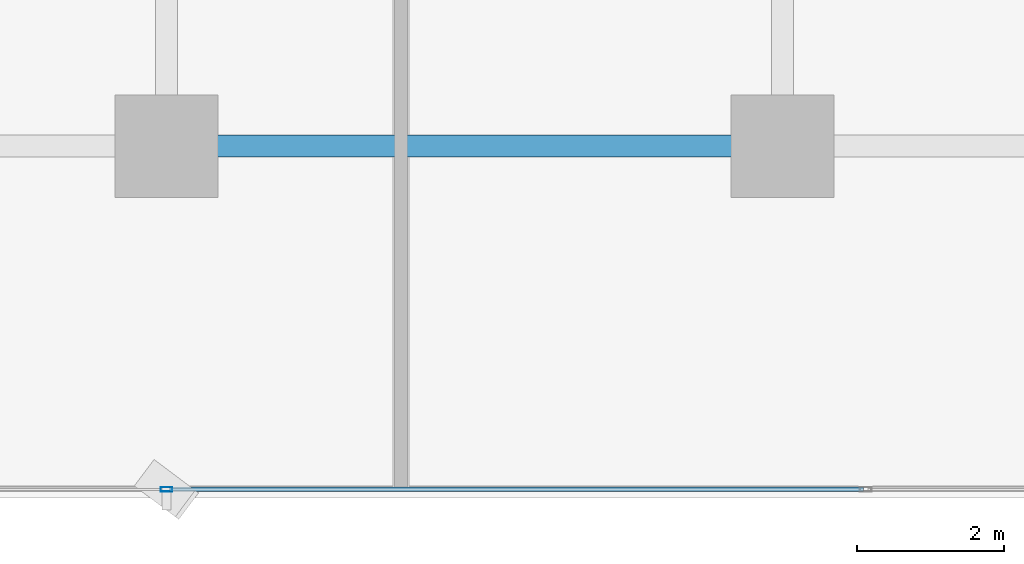
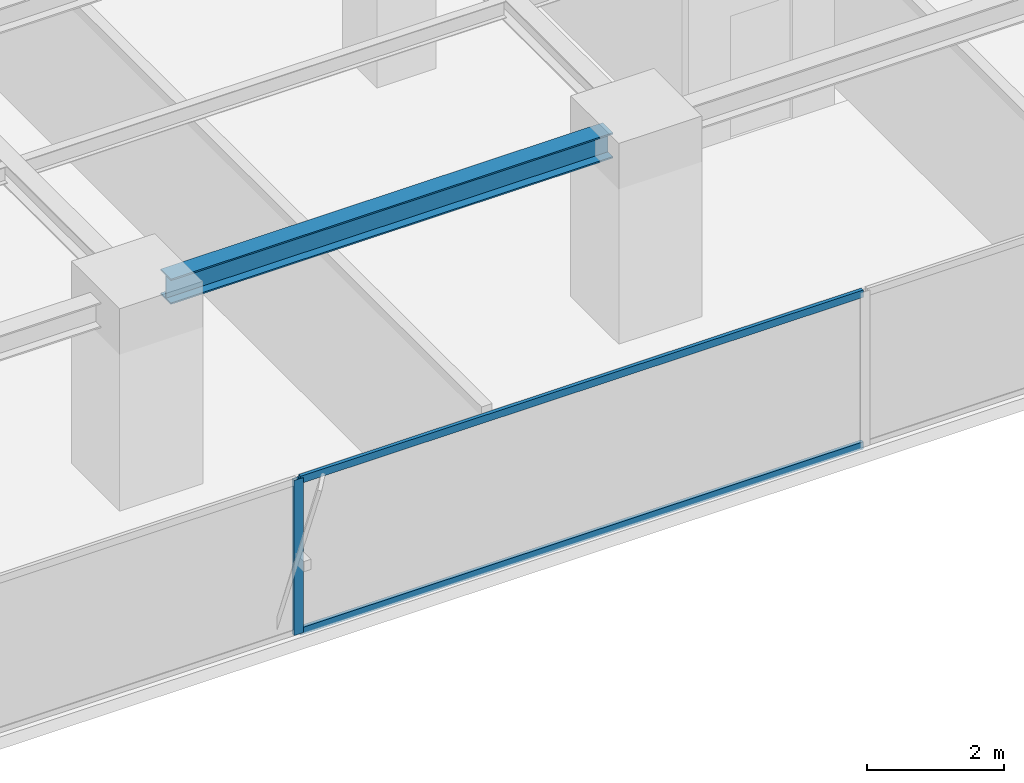
# One storey, part 5 of 28: 3 members, 1 beam, 1 element without a shape of its own.
"""IFC4 building model written with IfcOpenShell, lengths in metres."""

from ifc_helpers import new_model, si_unit, direction, frame, origin, origin_2d, place, context, subcontext, project, spatial, hollow_rectangle, i_section, extrude, source, transform, mapped, material, layer, layer_set, material_profile, profile_set, type_object, element, aggregate, save


model = new_model("IFC4")

# Units and contexts
model_context = context("Model", 3, precision=1e-05, world=origin(), true_north=direction((0.0, 1.0)))
body_context = subcontext(model_context, "Body", "Model", "MODEL_VIEW")
ifc_project = project(units=[si_unit("LENGTHUNIT", "METRE"), si_unit("AREAUNIT", "SQUARE_METRE"), si_unit("VOLUMEUNIT", "CUBIC_METRE"), si_unit("PLANEANGLEUNIT", "RADIAN"), si_unit("MASSUNIT", "GRAM", prefix="KILO")], contexts=[model_context])

# Site, building, storey
site_placement = place(None, origin())
site = spatial("IfcSite", under=ifc_project, at=site_placement, CompositionType="ELEMENT")
building_placement = place(site_placement, origin())
building = spatial("IfcBuilding", under=site, at=building_placement, Name="Sumidabori Civic Tower", CompositionType="ELEMENT")
storey_placement = place(building_placement, frame((0.0, 0.0, 171.199951171875)))
storey = spatial("IfcBuildingStorey", under=building, at=storey_placement, Name="L44", CompositionType="ELEMENT", Elevation=171.199951171875)

# Beam
ifc_material_1 = material(Name="Steel SN490", Category="steel")
ifc_material_profile_1 = material_profile(ifc_material_1, i_section(OverallWidth=0.300048828125, OverallDepth=0.449951171875, WebThickness=0.013916015625, FlangeThickness=0.02587890625, at=origin_2d()), Name="HE 450 B")
ifc_profile_set_1 = profile_set([ifc_material_profile_1], Name="Steel SN490")
beam_type = type_object("IfcBeamType", Name="BM-GIRD-450", PredefinedType="BEAM", material=ifc_profile_set_1)
shared_shape_1 = source(origin(), body_context, "Body", "SweptSolid", [
    extrude(i_section(OverallWidth=0.300048828125, OverallDepth=0.449951171875, WebThickness=0.013916015625, FlangeThickness=0.02587890625, at=origin_2d()), origin(), (0.0, 0.0, 1.0), 7.43994140625),
])
beam_placement = place(storey_placement, frame((0.47998046875, -18.0, 3.155029296875), z_axis=(1.0, 0.0, 0.0), x_axis=(0.0, 1.0, 0.0)))
element("IfcBeam", 1, at=beam_placement, inside=storey, type_object=beam_type, Name="Primary Girder L44 GX-03", PredefinedType="BEAM", context=body_context, shape_type="MappedRepresentation", body=[
    mapped(shared_shape_1, transform((0.0, 0.0, 0.0), x_axis=(1.0, 0.0, 0.0), y_axis=(0.0, 1.0, 0.0), z_axis=(0.0, 0.0, 1.0), scale=1.0)),
])

# Curtain wall, members
ifc_material_2 = material(Name="Anodised Bronze Aluminium AW-6063-T6", Category="aluminium")
ifc_layer = layer(ifc_material_2, 0.179931640625, Name="Anodised Bronze Aluminium AW-6063-T6")
ifc_layer_set = layer_set([ifc_layer], Name="Anodised Bronze Aluminium AW-6063-T6")
curtain_wall_type = type_object("IfcCurtainWallType", Name="CW-SYS-3", PredefinedType="NOTDEFINED", material=ifc_layer_set)
curtain_wall_placement = place(storey_placement, origin())
curtain_wall = element("IfcCurtainWall", 2, at=curtain_wall_placement, inside=storey, type_object=curtain_wall_type, Name="Curtain Wall CW:L44:R01", PredefinedType="NOTDEFINED")
ifc_material_profile_2 = material_profile(ifc_material_2, hollow_rectangle(XDim=0.06494140625, YDim=0.159912109375, WallThickness=0.0048828125, at=origin_2d()), Name="ALU MULLION 160x65")
ifc_profile_set_2 = profile_set([ifc_material_profile_2], Name="Anodised Bronze Aluminium AW-6063-T6")
member_type_1 = type_object("IfcMemberType", Name="CW-MUL-160", PredefinedType="MULLION", material=ifc_profile_set_2)
shared_shape_2 = source(origin(), body_context, "Body", "SweptSolid", [
    extrude(hollow_rectangle(XDim=0.06494140625, YDim=0.159912109375, WallThickness=0.0048828125, at=origin_2d()), origin(), (0.0, 0.0, 1.0), 2.760009765625),
])
member_1_placement = place(storey_placement, frame((0.0, -22.679931640625, 0.0), z_axis=(0.0, 0.0, 1.0), x_axis=(0.0, 1.0, 0.0)))
member_1 = element("IfcMember", 3, at=member_1_placement, type_object=member_type_1, Name="CW-3 mullion 3", PredefinedType="MULLION", context=body_context, shape_type="MappedRepresentation", body=[
    mapped(shared_shape_2, transform((0.0, 0.0, 0.0), x_axis=(1.0, 0.0, 0.0), y_axis=(0.0, 1.0, 0.0), z_axis=(0.0, 0.0, 1.0), scale=1.0)),
])
ifc_material_profile_3 = material_profile(ifc_material_2, hollow_rectangle(XDim=0.06005859375, YDim=0.1298828125, WallThickness=0.0048828125, at=origin_2d()), Name="ALU TRANSOM 130x60")
ifc_profile_set_3 = profile_set([ifc_material_profile_3], Name="Anodised Bronze Aluminium AW-6063-T6")
member_type_2 = type_object("IfcMemberType", Name="CW-TRN-130", PredefinedType="USERDEFINED", material=ifc_profile_set_3)
shared_shape_3 = source(origin(), body_context, "Body", "SweptSolid", [
    extrude(hollow_rectangle(XDim=0.06005859375, YDim=0.1298828125, WallThickness=0.0048828125, at=origin_2d()), origin(), (0.0, 0.0, 1.0), 9.469970703125),
])
member_2_placement = place(storey_placement, frame((0.032470703125, -22.679931640625, 0.030029296875), z_axis=(1.0, 0.0, 0.0), x_axis=(0.0, 1.0, 0.0)))
member_2 = element("IfcMember", 4, at=member_2_placement, type_object=member_type_2, Name="CW-3 transom 3.1", ObjectType="TRANSOM", PredefinedType="USERDEFINED", context=body_context, shape_type="MappedRepresentation", body=[
    mapped(shared_shape_3, transform((0.0, 0.0, 0.0), x_axis=(1.0, 0.0, 0.0), y_axis=(0.0, 1.0, 0.0), z_axis=(0.0, 0.0, 1.0), scale=1.0)),
])
member_3_placement = place(storey_placement, frame((0.032470703125, -22.679931640625, 2.72998046875), z_axis=(1.0, 0.0, 0.0), x_axis=(0.0, 1.0, 0.0)))
member_3 = element("IfcMember", 5, at=member_3_placement, type_object=member_type_2, Name="CW-3 transom 3.2", ObjectType="TRANSOM", PredefinedType="USERDEFINED", context=body_context, shape_type="MappedRepresentation", body=[
    mapped(shared_shape_3, transform((0.0, 0.0, 0.0), x_axis=(1.0, 0.0, 0.0), y_axis=(0.0, 1.0, 0.0), z_axis=(0.0, 0.0, 1.0), scale=1.0)),
])
aggregate(curtain_wall, [member_1, member_2, member_3])

save(model, "model.ifc")
